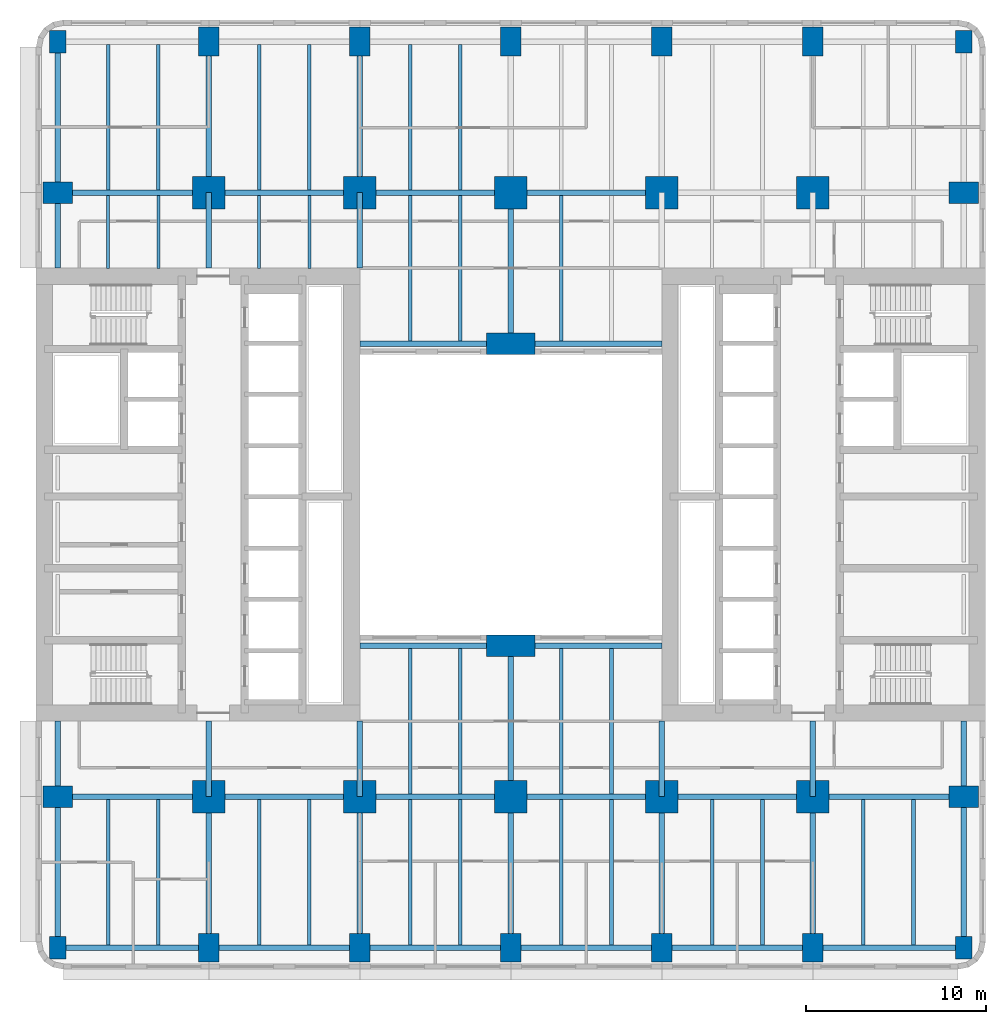
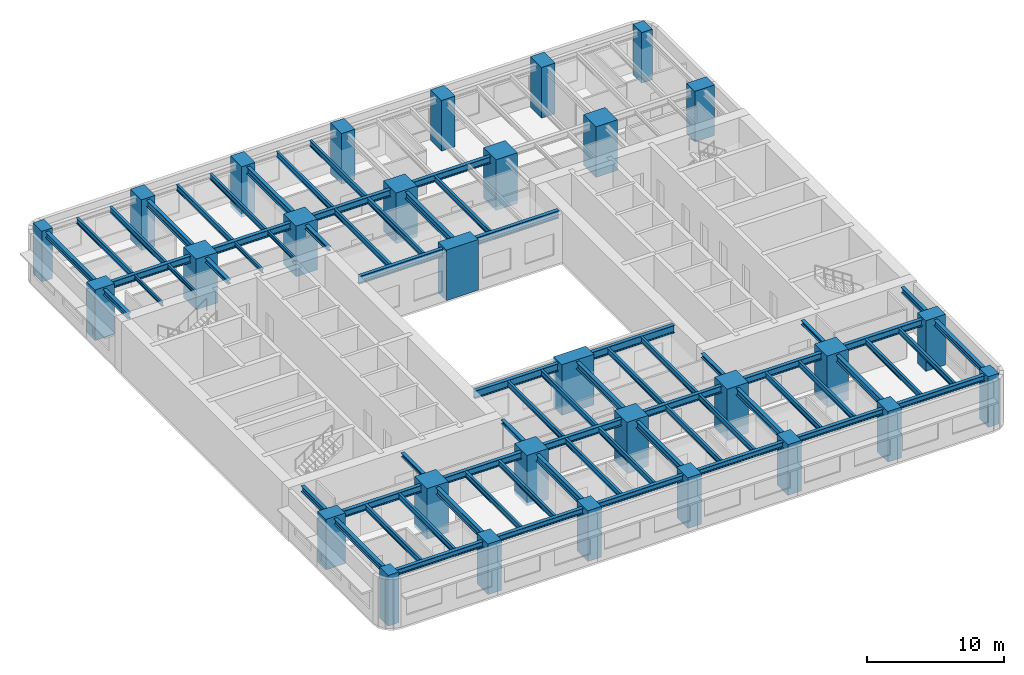
# One storey, part 1 of 12: 70 beams, 30 columns.
"""IFC4 building model written with IfcOpenShell, lengths in metres."""

from ifc_helpers import new_model, si_unit, direction, frame, origin, origin_2d, place, context, subcontext, project, spatial, rectangle, i_section, extrude, material, material_profile, profile_set, type_object, element, save


model = new_model("IFC4")

# Units and contexts
model_context = context("Model", 3, precision=1e-05, world=origin(), true_north=direction((0.0, 1.0)))
body_context = subcontext(model_context, "Body", "Model", "MODEL_VIEW")
ifc_project = project(units=[si_unit("LENGTHUNIT", "METRE"), si_unit("AREAUNIT", "SQUARE_METRE"), si_unit("VOLUMEUNIT", "CUBIC_METRE"), si_unit("PLANEANGLEUNIT", "RADIAN"), si_unit("MASSUNIT", "GRAM", prefix="KILO")], contexts=[model_context])

# Site, building, storey
site_placement = place(None, origin())
site = spatial("IfcSite", under=ifc_project, at=site_placement, CompositionType="ELEMENT")
building_placement = place(site_placement, origin())
building = spatial("IfcBuilding", under=site, at=building_placement, Name="Claustro Exchange Tower", CompositionType="ELEMENT")
storey_placement = place(building_placement, frame((0.0, 0.0, 68.39990234375)))
storey = spatial("IfcBuildingStorey", under=building, at=storey_placement, Name="L15", CompositionType="ELEMENT", Elevation=68.39990234375)

# Columns
ifc_material_1 = material(Name="Concrete HA-70 (C70/85)", Category="concrete")
ifc_material_profile_1 = material_profile(ifc_material_1, rectangle(XDim=1.800048828125, YDim=1.800048828125, at=origin_2d()), Name="RC 1800x1800")
ifc_profile_set_1 = profile_set([ifc_material_profile_1], Name="Concrete HA-70 (C70/85)")
column_type_1 = type_object("IfcColumnType", Name="C14 RC 1800x1800 HA-70 column", PredefinedType="COLUMN", material=ifc_profile_set_1)
for number, where, z_axis, x_axis, name in (
    (1, (8.39990234375, 8.39990234375, 0.0), (0.0, 0.0, 1.0), (1.0, 0.0, 0.0), "Column C14 2/B L15"),
    (2, (8.39990234375, 42.0, 0.0), (0.0, 0.0, 1.0), (1.0, 0.0, 0.0), "Column C14 2/F L15"),
    (3, (16.800048828125, 8.39990234375, 0.0), (0.0, 0.0, 1.0), (1.0, 0.0, 0.0), "Column C14 3/B L15"),
    (4, (16.800048828125, 42.0, 0.0), (0.0, 0.0, 1.0), (1.0, 0.0, 0.0), "Column C14 3/F L15"),
    (5, (25.199951171875, 8.39990234375, 0.0), (0.0, 0.0, 1.0), (1.0, 0.0, 0.0), "Column C14 4/B L15"),
    (6, (25.199951171875, 42.0, 0.0), (0.0, 0.0, 1.0), (1.0, 0.0, 0.0), "Column C14 4/F L15"),
    (7, (33.60009765625, 8.39990234375, 0.0), (0.0, 0.0, 1.0), (1.0, 0.0, 0.0), "Column C14 5/B L15"),
    (8, (33.60009765625, 42.0, 0.0), (0.0, 0.0, 1.0), (1.0, 0.0, 0.0), "Column C14 5/F L15"),
    (9, (42.0, 8.39990234375, 0.0), (0.0, 0.0, 1.0), (1.0, 0.0, 0.0), "Column C14 6/B L15"),
    (10, (42.0, 42.0, 0.0), (0.0, 0.0, 1.0), (1.0, 0.0, 0.0), "Column C14 6/F L15"),
):
    element("IfcColumn", number, at=place(storey_placement, frame(where, z_axis=z_axis, x_axis=x_axis)), inside=storey, type_object=column_type_1, Name=name, PredefinedType="COLUMN", context=body_context, shape_type="SweptSolid", body=[
        extrude(rectangle(XDim=1.800048828125, YDim=1.800048828125, at=origin_2d()), origin(), (0.0, 0.0, 1.0), 4.5),
    ])
ifc_material_2 = material(Name="Concrete HA-70 (C70/85)", Category="concrete")
ifc_material_profile_2 = material_profile(ifc_material_2, rectangle(XDim=1.199951171875, YDim=1.64990234375, at=origin_2d()), Name="RC 1200x1650")
ifc_profile_set_2 = profile_set([ifc_material_profile_2], Name="Concrete HA-70 (C70/85)")
column_type_2 = type_object("IfcColumnType", Name="C19 RC 1200x1650 HA-70 perimeter column", PredefinedType="COLUMN", material=ifc_profile_set_2)
for number, where, z_axis, x_axis, name in (
    (11, (0.0, 8.39990234375, 0.0), (0.0, 0.0, 1.0), (0.0, 1.0, 0.0), "Column C19 1/B L15"),
    (12, (0.0, 42.0, 0.0), (0.0, 0.0, 1.0), (0.0, 1.0, 0.0), "Column C19 1/F L15"),
    (13, (50.39990234375, 8.39990234375, 0.0), (0.0, 0.0, 1.0), (0.0, 1.0, 0.0), "Column C19 7/B L15"),
    (14, (50.39990234375, 42.0, 0.0), (0.0, 0.0, 1.0), (0.0, 1.0, 0.0), "Column C19 7/F L15"),
):
    element("IfcColumn", number, at=place(storey_placement, frame(where, z_axis=z_axis, x_axis=x_axis)), inside=storey, type_object=column_type_2, Name=name, PredefinedType="COLUMN", context=body_context, shape_type="SweptSolid", body=[
        extrude(rectangle(XDim=1.199951171875, YDim=1.64990234375, at=origin_2d()), origin(), (0.0, 0.0, 1.0), 4.5),
    ])
ifc_material_3 = material(Name="Concrete HA-70 (C70/85)", Category="concrete")
ifc_material_profile_3 = material_profile(ifc_material_3, rectangle(XDim=1.14990234375, YDim=1.60009765625, at=origin_2d()), Name="RC 1150x1600")
ifc_profile_set_3 = profile_set([ifc_material_profile_3], Name="Concrete HA-70 (C70/85)")
column_type_3 = type_object("IfcColumnType", Name="C20 RC 1150x1600 HA-70 perimeter column", PredefinedType="COLUMN", material=ifc_profile_set_3)
for number, where, z_axis, x_axis, name in (
    (15, (8.39990234375, 0.0, 0.0), (0.0, 0.0, 1.0), (1.0, 0.0, 0.0), "Column C20 2/A L15"),
    (16, (8.39990234375, 50.39990234375, 0.0), (0.0, 0.0, 1.0), (1.0, 0.0, 0.0), "Column C20 2/G L15"),
    (17, (16.800048828125, 0.0, 0.0), (0.0, 0.0, 1.0), (1.0, 0.0, 0.0), "Column C20 3/A L15"),
    (18, (16.800048828125, 50.39990234375, 0.0), (0.0, 0.0, 1.0), (1.0, 0.0, 0.0), "Column C20 3/G L15"),
    (19, (25.199951171875, 0.0, 0.0), (0.0, 0.0, 1.0), (1.0, 0.0, 0.0), "Column C20 4/A L15"),
    (20, (25.199951171875, 50.39990234375, 0.0), (0.0, 0.0, 1.0), (1.0, 0.0, 0.0), "Column C20 4/G L15"),
    (21, (33.60009765625, 0.0, 0.0), (0.0, 0.0, 1.0), (1.0, 0.0, 0.0), "Column C20 5/A L15"),
    (22, (33.60009765625, 50.39990234375, 0.0), (0.0, 0.0, 1.0), (1.0, 0.0, 0.0), "Column C20 5/G L15"),
    (23, (42.0, 0.0, 0.0), (0.0, 0.0, 1.0), (1.0, 0.0, 0.0), "Column C20 6/A L15"),
    (24, (42.0, 50.39990234375, 0.0), (0.0, 0.0, 1.0), (1.0, 0.0, 0.0), "Column C20 6/G L15"),
):
    element("IfcColumn", number, at=place(storey_placement, frame(where, z_axis=z_axis, x_axis=x_axis)), inside=storey, type_object=column_type_3, Name=name, PredefinedType="COLUMN", context=body_context, shape_type="SweptSolid", body=[
        extrude(rectangle(XDim=1.14990234375, YDim=1.60009765625, at=origin_2d()), origin(), (0.0, 0.0, 1.0), 4.5),
    ])
ifc_material_4 = material(Name="Concrete HA-70 (C70/85)", Category="concrete")
ifc_material_profile_4 = material_profile(ifc_material_4, rectangle(XDim=2.699951171875, YDim=1.199951171875, at=origin_2d()), Name="RC 2700x1200")
ifc_profile_set_4 = profile_set([ifc_material_profile_4], Name="Concrete HA-70 (C70/85)")
column_type_4 = type_object("IfcColumnType", Name="C30 RC 2700x1200 HA-70 light well column", PredefinedType="COLUMN", material=ifc_profile_set_4)
for number, where, z_axis, x_axis, name in (
    (25, (25.199951171875, 16.800048828125, 0.0), (0.0, 0.0, 1.0), (1.0, 0.0, 0.0), "Column C30 4/C L15"),
    (26, (25.199951171875, 33.60009765625, 0.0), (0.0, 0.0, 1.0), (1.0, 0.0, 0.0), "Column C30 4/E L15"),
):
    element("IfcColumn", number, at=place(storey_placement, frame(where, z_axis=z_axis, x_axis=x_axis)), inside=storey, type_object=column_type_4, Name=name, PredefinedType="COLUMN", context=body_context, shape_type="SweptSolid", body=[
        extrude(rectangle(XDim=2.699951171875, YDim=1.199951171875, at=origin_2d()), origin(), (0.0, 0.0, 1.0), 4.5),
    ])
ifc_material_5 = material(Name="Concrete HA-70 (C70/85)", Category="concrete")
ifc_material_profile_5 = material_profile(ifc_material_5, rectangle(XDim=0.89990234375, YDim=1.25, at=origin_2d()), Name="RC 900x1250")
ifc_profile_set_5 = profile_set([ifc_material_profile_5], Name="Concrete HA-70 (C70/85)")
column_type_5 = type_object("IfcColumnType", Name="C35 RC 900x1250 HA-70 corner column", PredefinedType="COLUMN", material=ifc_profile_set_5)
for number, where, z_axis, x_axis, name in (
    (27, (0.0, 0.0, 0.0), (0.0, 0.0, 1.0), (1.0, 0.0, 0.0), "Column C35 1/A L15"),
    (28, (0.0, 50.39990234375, 0.0), (0.0, 0.0, 1.0), (1.0, 0.0, 0.0), "Column C35 1/G L15"),
    (29, (50.39990234375, 0.0, 0.0), (0.0, 0.0, 1.0), (1.0, 0.0, 0.0), "Column C35 7/A L15"),
    (30, (50.39990234375, 50.39990234375, 0.0), (0.0, 0.0, 1.0), (1.0, 0.0, 0.0), "Column C35 7/G L15"),
):
    element("IfcColumn", number, at=place(storey_placement, frame(where, z_axis=z_axis, x_axis=x_axis)), inside=storey, type_object=column_type_5, Name=name, PredefinedType="COLUMN", context=body_context, shape_type="SweptSolid", body=[
        extrude(rectangle(XDim=0.89990234375, YDim=1.25, at=origin_2d()), origin(), (0.0, 0.0, 1.0), 4.5),
    ])

# Beams
ifc_material_6 = material(Name="Steel S355", Category="steel")
ifc_material_profile_6 = material_profile(ifc_material_6, i_section(OverallWidth=0.300048828125, OverallDepth=0.60009765625, WebThickness=0.015380859375, FlangeThickness=0.030029296875, FilletRadius=0.027099609375, at=origin_2d()), Name="HE 600 B")
ifc_profile_set_6 = profile_set([ifc_material_profile_6], Name="Steel S355")
beam_type_1 = type_object("IfcBeamType", Name="B1 HE 600 B floor girder", PredefinedType="BEAM", material=ifc_profile_set_6)
for number, where, z_axis, x_axis, name in (
    (31, (8.39990234375, 0.0, 4.0400390625), (0.0, 1.0, 0.0), (-1.0, 0.0, 0.0), "Beam B1 L16"),
    (32, (8.39990234375, 42.0, 4.0400390625), (0.0, 1.0, 0.0), (-1.0, 0.0, 0.0), "Beam B1 L16"),
    (33, (16.800048828125, 0.0, 4.0400390625), (0.0, 1.0, 0.0), (-1.0, 0.0, 0.0), "Beam B1 L16"),
    (34, (16.800048828125, 42.0, 4.0400390625), (0.0, 1.0, 0.0), (-1.0, 0.0, 0.0), "Beam B1 L16"),
    (35, (25.199951171875, 0.0, 4.0400390625), (0.0, 1.0, 0.0), (-1.0, 0.0, 0.0), "Beam B1 L16"),
):
    element("IfcBeam", number, at=place(storey_placement, frame(where, z_axis=z_axis, x_axis=x_axis)), inside=storey, type_object=beam_type_1, Name=name, PredefinedType="BEAM", context=body_context, shape_type="SweptSolid", body=[
        extrude(i_section(OverallWidth=0.300048828125, OverallDepth=0.60009765625, WebThickness=0.015380859375, FlangeThickness=0.030029296875, FilletRadius=0.027099609375, at=origin_2d()), origin(), (0.0, 0.0, 1.0), 8.39990234375),
    ])
beam_1_placement = place(storey_placement, frame((25.199951171875, 8.39990234375, 4.0400390625), z_axis=(0.0, 1.0, 0.0), x_axis=(-1.0, 0.0, 0.0)))
element("IfcBeam", 36, at=beam_1_placement, inside=storey, type_object=beam_type_1, Name="Beam B1 L16", PredefinedType="BEAM", context=body_context, shape_type="SweptSolid", body=[
    extrude(i_section(OverallWidth=0.300048828125, OverallDepth=0.60009765625, WebThickness=0.015380859375, FlangeThickness=0.030029296875, FilletRadius=0.027099609375, at=origin_2d()), origin(), (0.0, 0.0, 1.0), 8.400146484375),
])
for number, where, z_axis, x_axis, name in (
    (37, (25.199951171875, 33.60009765625, 4.0400390625), (0.0, 1.0, 0.0), (-1.0, 0.0, 0.0), "Beam B1 L16"),
    (38, (33.60009765625, 0.0, 4.0400390625), (0.0, 1.0, 0.0), (-1.0, 0.0, 0.0), "Beam B1 L16"),
    (39, (42.0, 0.0, 4.0400390625), (0.0, 1.0, 0.0), (-1.0, 0.0, 0.0), "Beam B1 L16"),
    (40, (0.0, 8.39990234375, 4.0400390625), (1.0, 0.0, 0.0), (0.0, 1.0, 0.0), "Beam B1 L16"),
):
    element("IfcBeam", number, at=place(storey_placement, frame(where, z_axis=z_axis, x_axis=x_axis)), inside=storey, type_object=beam_type_1, Name=name, PredefinedType="BEAM", context=body_context, shape_type="SweptSolid", body=[
        extrude(i_section(OverallWidth=0.300048828125, OverallDepth=0.60009765625, WebThickness=0.015380859375, FlangeThickness=0.030029296875, FilletRadius=0.027099609375, at=origin_2d()), origin(), (0.0, 0.0, 1.0), 8.39990234375),
    ])
beam_2_placement = place(storey_placement, frame((8.39990234375, 8.39990234375, 4.0400390625), z_axis=(1.0, 0.0, 0.0), x_axis=(0.0, 1.0, 0.0)))
element("IfcBeam", 41, at=beam_2_placement, inside=storey, type_object=beam_type_1, Name="Beam B1 L16", PredefinedType="BEAM", context=body_context, shape_type="SweptSolid", body=[
    extrude(i_section(OverallWidth=0.300048828125, OverallDepth=0.60009765625, WebThickness=0.015380859375, FlangeThickness=0.030029296875, FilletRadius=0.027099609375, at=origin_2d()), origin(), (0.0, 0.0, 1.0), 8.400146484375),
])
beam_3_placement = place(storey_placement, frame((16.800048828125, 8.39990234375, 4.0400390625), z_axis=(1.0, 0.0, 0.0), x_axis=(0.0, 1.0, 0.0)))
element("IfcBeam", 42, at=beam_3_placement, inside=storey, type_object=beam_type_1, Name="Beam B1 L16", PredefinedType="BEAM", context=body_context, shape_type="SweptSolid", body=[
    extrude(i_section(OverallWidth=0.300048828125, OverallDepth=0.60009765625, WebThickness=0.015380859375, FlangeThickness=0.030029296875, FilletRadius=0.027099609375, at=origin_2d()), origin(), (0.0, 0.0, 1.0), 8.39990234375),
])
beam_4_placement = place(storey_placement, frame((25.199951171875, 8.39990234375, 4.0400390625), z_axis=(1.0, 0.0, 0.0), x_axis=(0.0, 1.0, 0.0)))
element("IfcBeam", 43, at=beam_4_placement, inside=storey, type_object=beam_type_1, Name="Beam B1 L16", PredefinedType="BEAM", context=body_context, shape_type="SweptSolid", body=[
    extrude(i_section(OverallWidth=0.300048828125, OverallDepth=0.60009765625, WebThickness=0.015380859375, FlangeThickness=0.030029296875, FilletRadius=0.027099609375, at=origin_2d()), origin(), (0.0, 0.0, 1.0), 8.400146484375),
])
for number, where, z_axis, x_axis, name in (
    (44, (33.60009765625, 8.39990234375, 4.0400390625), (1.0, 0.0, 0.0), (0.0, 1.0, 0.0), "Beam B1 L16"),
    (45, (42.0, 8.39990234375, 4.0400390625), (1.0, 0.0, 0.0), (0.0, 1.0, 0.0), "Beam B1 L16"),
    (46, (0.0, 42.0, 4.0400390625), (1.0, 0.0, 0.0), (0.0, 1.0, 0.0), "Beam B1 L16"),
):
    element("IfcBeam", number, at=place(storey_placement, frame(where, z_axis=z_axis, x_axis=x_axis)), inside=storey, type_object=beam_type_1, Name=name, PredefinedType="BEAM", context=body_context, shape_type="SweptSolid", body=[
        extrude(i_section(OverallWidth=0.300048828125, OverallDepth=0.60009765625, WebThickness=0.015380859375, FlangeThickness=0.030029296875, FilletRadius=0.027099609375, at=origin_2d()), origin(), (0.0, 0.0, 1.0), 8.39990234375),
    ])
beam_5_placement = place(storey_placement, frame((8.39990234375, 42.0, 4.0400390625), z_axis=(1.0, 0.0, 0.0), x_axis=(0.0, 1.0, 0.0)))
element("IfcBeam", 47, at=beam_5_placement, inside=storey, type_object=beam_type_1, Name="Beam B1 L16", PredefinedType="BEAM", context=body_context, shape_type="SweptSolid", body=[
    extrude(i_section(OverallWidth=0.300048828125, OverallDepth=0.60009765625, WebThickness=0.015380859375, FlangeThickness=0.030029296875, FilletRadius=0.027099609375, at=origin_2d()), origin(), (0.0, 0.0, 1.0), 8.400146484375),
])
beam_6_placement = place(storey_placement, frame((16.800048828125, 42.0, 4.0400390625), z_axis=(1.0, 0.0, 0.0), x_axis=(0.0, 1.0, 0.0)))
element("IfcBeam", 48, at=beam_6_placement, inside=storey, type_object=beam_type_1, Name="Beam B1 L16", PredefinedType="BEAM", context=body_context, shape_type="SweptSolid", body=[
    extrude(i_section(OverallWidth=0.300048828125, OverallDepth=0.60009765625, WebThickness=0.015380859375, FlangeThickness=0.030029296875, FilletRadius=0.027099609375, at=origin_2d()), origin(), (0.0, 0.0, 1.0), 8.39990234375),
])
beam_7_placement = place(storey_placement, frame((25.199951171875, 42.0, 4.0400390625), z_axis=(1.0, 0.0, 0.0), x_axis=(0.0, 1.0, 0.0)))
element("IfcBeam", 49, at=beam_7_placement, inside=storey, type_object=beam_type_1, Name="Beam B1 L16", PredefinedType="BEAM", context=body_context, shape_type="SweptSolid", body=[
    extrude(i_section(OverallWidth=0.300048828125, OverallDepth=0.60009765625, WebThickness=0.015380859375, FlangeThickness=0.030029296875, FilletRadius=0.027099609375, at=origin_2d()), origin(), (0.0, 0.0, 1.0), 8.400146484375),
])
ifc_material_7 = material(Name="Steel S355", Category="steel")
ifc_material_profile_7 = material_profile(ifc_material_7, i_section(OverallWidth=0.300048828125, OverallDepth=0.68994140625, WebThickness=0.014404296875, FlangeThickness=0.027099609375, FilletRadius=0.027099609375, at=origin_2d()), Name="HE 700 A")
ifc_profile_set_7 = profile_set([ifc_material_profile_7], Name="Steel S355")
beam_type_2 = type_object("IfcBeamType", Name="B13 HE 700 A light well edge girder", PredefinedType="BEAM", material=ifc_profile_set_7)
beam_8_placement = place(storey_placement, frame((16.800048828125, 16.800048828125, 3.9951171875), z_axis=(1.0, 0.0, 0.0), x_axis=(0.0, 1.0, 0.0)))
element("IfcBeam", 50, at=beam_8_placement, inside=storey, type_object=beam_type_2, Name="Beam B13 L16", PredefinedType="BEAM", context=body_context, shape_type="SweptSolid", body=[
    extrude(i_section(OverallWidth=0.300048828125, OverallDepth=0.68994140625, WebThickness=0.014404296875, FlangeThickness=0.027099609375, FilletRadius=0.027099609375, at=origin_2d()), origin(), (0.0, 0.0, 1.0), 8.39990234375),
])
beam_9_placement = place(storey_placement, frame((25.199951171875, 16.800048828125, 3.9951171875), z_axis=(1.0, 0.0, 0.0), x_axis=(0.0, 1.0, 0.0)))
element("IfcBeam", 51, at=beam_9_placement, inside=storey, type_object=beam_type_2, Name="Beam B13 L16", PredefinedType="BEAM", context=body_context, shape_type="SweptSolid", body=[
    extrude(i_section(OverallWidth=0.300048828125, OverallDepth=0.68994140625, WebThickness=0.014404296875, FlangeThickness=0.027099609375, FilletRadius=0.027099609375, at=origin_2d()), origin(), (0.0, 0.0, 1.0), 8.400146484375),
])
beam_10_placement = place(storey_placement, frame((16.800048828125, 33.60009765625, 3.9951171875), z_axis=(1.0, 0.0, 0.0), x_axis=(0.0, 1.0, 0.0)))
element("IfcBeam", 52, at=beam_10_placement, inside=storey, type_object=beam_type_2, Name="Beam B13 L16", PredefinedType="BEAM", context=body_context, shape_type="SweptSolid", body=[
    extrude(i_section(OverallWidth=0.300048828125, OverallDepth=0.68994140625, WebThickness=0.014404296875, FlangeThickness=0.027099609375, FilletRadius=0.027099609375, at=origin_2d()), origin(), (0.0, 0.0, 1.0), 8.39990234375),
])
beam_11_placement = place(storey_placement, frame((25.199951171875, 33.60009765625, 3.9951171875), z_axis=(1.0, 0.0, 0.0), x_axis=(0.0, 1.0, 0.0)))
element("IfcBeam", 53, at=beam_11_placement, inside=storey, type_object=beam_type_2, Name="Beam B13 L16", PredefinedType="BEAM", context=body_context, shape_type="SweptSolid", body=[
    extrude(i_section(OverallWidth=0.300048828125, OverallDepth=0.68994140625, WebThickness=0.014404296875, FlangeThickness=0.027099609375, FilletRadius=0.027099609375, at=origin_2d()), origin(), (0.0, 0.0, 1.0), 8.400146484375),
])
ifc_material_8 = material(Name="Steel S355", Category="steel")
ifc_material_profile_8 = material_profile(ifc_material_8, i_section(OverallWidth=0.169921875, OverallDepth=0.360107421875, WebThickness=0.008056640625, FlangeThickness=0.0126953125, FilletRadius=0.01806640625, at=origin_2d()), Name="IPE 360")
ifc_profile_set_8 = profile_set([ifc_material_profile_8], Name="Steel S355")
beam_type_3 = type_object("IfcBeamType", Name="B16 IPE 360 short-span beam", PredefinedType="BEAM", material=ifc_profile_set_8)
for number, where, z_axis, x_axis, name in (
    (54, (2.800048828125, 37.7900390625, 4.16015625), (0.0, 1.0, 0.0), (-1.0, 0.0, 0.0), "Beam B16 L16"),
    (55, (5.60009765625, 37.7900390625, 4.16015625), (0.0, 1.0, 0.0), (-1.0, 0.0, 0.0), "Beam B16 L16"),
    (56, (11.199951171875, 37.7900390625, 4.16015625), (0.0, 1.0, 0.0), (-1.0, 0.0, 0.0), "Beam B16 L16"),
    (57, (14.0, 37.7900390625, 4.16015625), (0.0, 1.0, 0.0), (-1.0, 0.0, 0.0), "Beam B16 L16"),
):
    element("IfcBeam", number, at=place(storey_placement, frame(where, z_axis=z_axis, x_axis=x_axis)), inside=storey, type_object=beam_type_3, Name=name, PredefinedType="BEAM", context=body_context, shape_type="SweptSolid", body=[
        extrude(i_section(OverallWidth=0.169921875, OverallDepth=0.360107421875, WebThickness=0.008056640625, FlangeThickness=0.0126953125, FilletRadius=0.01806640625, at=origin_2d()), origin(), (0.0, 0.0, 1.0), 4.06005859375),
    ])
ifc_material_9 = material(Name="Steel S355", Category="steel")
ifc_material_profile_9 = material_profile(ifc_material_9, i_section(OverallWidth=0.199951171875, OverallDepth=0.5, WebThickness=0.01025390625, FlangeThickness=0.01611328125, FilletRadius=0.02099609375, at=origin_2d()), Name="IPE 500")
ifc_profile_set_9 = profile_set([ifc_material_profile_9], Name="Steel S355")
beam_type_4 = type_object("IfcBeamType", Name="B2 IPE 500 secondary beam", PredefinedType="BEAM", material=ifc_profile_set_9)
for number, where, z_axis, x_axis, name in (
    (58, (2.800048828125, 0.14990234375, 4.090087890625), (0.0, 1.0, 0.0), (-1.0, 0.0, 0.0), "Beam B2 L16"),
    (59, (5.60009765625, 0.14990234375, 4.090087890625), (0.0, 1.0, 0.0), (-1.0, 0.0, 0.0), "Beam B2 L16"),
    (60, (2.800048828125, 42.14990234375, 4.090087890625), (0.0, 1.0, 0.0), (-1.0, 0.0, 0.0), "Beam B2 L16"),
    (61, (5.60009765625, 42.14990234375, 4.090087890625), (0.0, 1.0, 0.0), (-1.0, 0.0, 0.0), "Beam B2 L16"),
    (62, (11.199951171875, 0.14990234375, 4.090087890625), (0.0, 1.0, 0.0), (-1.0, 0.0, 0.0), "Beam B2 L16"),
    (63, (14.0, 0.14990234375, 4.090087890625), (0.0, 1.0, 0.0), (-1.0, 0.0, 0.0), "Beam B2 L16"),
    (64, (11.199951171875, 42.14990234375, 4.090087890625), (0.0, 1.0, 0.0), (-1.0, 0.0, 0.0), "Beam B2 L16"),
    (65, (14.0, 42.14990234375, 4.090087890625), (0.0, 1.0, 0.0), (-1.0, 0.0, 0.0), "Beam B2 L16"),
    (66, (19.60009765625, 0.14990234375, 4.090087890625), (0.0, 1.0, 0.0), (-1.0, 0.0, 0.0), "Beam B2 L16"),
    (67, (22.39990234375, 0.14990234375, 4.090087890625), (0.0, 1.0, 0.0), (-1.0, 0.0, 0.0), "Beam B2 L16"),
):
    element("IfcBeam", number, at=place(storey_placement, frame(where, z_axis=z_axis, x_axis=x_axis)), inside=storey, type_object=beam_type_4, Name=name, PredefinedType="BEAM", context=body_context, shape_type="SweptSolid", body=[
        extrude(i_section(OverallWidth=0.199951171875, OverallDepth=0.5, WebThickness=0.01025390625, FlangeThickness=0.01611328125, FilletRadius=0.02099609375, at=origin_2d()), origin(), (0.0, 0.0, 1.0), 8.10009765625),
    ])
for number, where, z_axis, x_axis, name in (
    (68, (19.60009765625, 8.550048828125, 4.090087890625), (0.0, 1.0, 0.0), (-1.0, 0.0, 0.0), "Beam B2 L16"),
    (69, (22.39990234375, 8.550048828125, 4.090087890625), (0.0, 1.0, 0.0), (-1.0, 0.0, 0.0), "Beam B2 L16"),
):
    element("IfcBeam", number, at=place(storey_placement, frame(where, z_axis=z_axis, x_axis=x_axis)), inside=storey, type_object=beam_type_4, Name=name, PredefinedType="BEAM", context=body_context, shape_type="SweptSolid", body=[
        extrude(i_section(OverallWidth=0.199951171875, OverallDepth=0.5, WebThickness=0.01025390625, FlangeThickness=0.01611328125, FilletRadius=0.02099609375, at=origin_2d()), origin(), (0.0, 0.0, 1.0), 8.099853515625),
    ])
for number, where, z_axis, x_axis, name in (
    (70, (19.60009765625, 33.75, 4.090087890625), (0.0, 1.0, 0.0), (-1.0, 0.0, 0.0), "Beam B2 L16"),
    (71, (22.39990234375, 33.75, 4.090087890625), (0.0, 1.0, 0.0), (-1.0, 0.0, 0.0), "Beam B2 L16"),
    (72, (19.60009765625, 42.14990234375, 4.090087890625), (0.0, 1.0, 0.0), (-1.0, 0.0, 0.0), "Beam B2 L16"),
    (73, (22.39990234375, 42.14990234375, 4.090087890625), (0.0, 1.0, 0.0), (-1.0, 0.0, 0.0), "Beam B2 L16"),
    (74, (28.0, 0.14990234375, 4.090087890625), (0.0, 1.0, 0.0), (-1.0, 0.0, 0.0), "Beam B2 L16"),
    (75, (30.800048828125, 0.14990234375, 4.090087890625), (0.0, 1.0, 0.0), (-1.0, 0.0, 0.0), "Beam B2 L16"),
):
    element("IfcBeam", number, at=place(storey_placement, frame(where, z_axis=z_axis, x_axis=x_axis)), inside=storey, type_object=beam_type_4, Name=name, PredefinedType="BEAM", context=body_context, shape_type="SweptSolid", body=[
        extrude(i_section(OverallWidth=0.199951171875, OverallDepth=0.5, WebThickness=0.01025390625, FlangeThickness=0.01611328125, FilletRadius=0.02099609375, at=origin_2d()), origin(), (0.0, 0.0, 1.0), 8.10009765625),
    ])
for number, where, z_axis, x_axis, name in (
    (76, (28.0, 8.550048828125, 4.090087890625), (0.0, 1.0, 0.0), (-1.0, 0.0, 0.0), "Beam B2 L16"),
    (77, (30.800048828125, 8.550048828125, 4.090087890625), (0.0, 1.0, 0.0), (-1.0, 0.0, 0.0), "Beam B2 L16"),
):
    element("IfcBeam", number, at=place(storey_placement, frame(where, z_axis=z_axis, x_axis=x_axis)), inside=storey, type_object=beam_type_4, Name=name, PredefinedType="BEAM", context=body_context, shape_type="SweptSolid", body=[
        extrude(i_section(OverallWidth=0.199951171875, OverallDepth=0.5, WebThickness=0.01025390625, FlangeThickness=0.01611328125, FilletRadius=0.02099609375, at=origin_2d()), origin(), (0.0, 0.0, 1.0), 8.099853515625),
    ])
for number, where, z_axis, x_axis, name in (
    (78, (28.0, 33.75, 4.090087890625), (0.0, 1.0, 0.0), (-1.0, 0.0, 0.0), "Beam B2 L16"),
    (79, (36.39990234375, 0.14990234375, 4.090087890625), (0.0, 1.0, 0.0), (-1.0, 0.0, 0.0), "Beam B2 L16"),
    (80, (39.199951171875, 0.14990234375, 4.090087890625), (0.0, 1.0, 0.0), (-1.0, 0.0, 0.0), "Beam B2 L16"),
    (81, (44.800048828125, 0.14990234375, 4.090087890625), (0.0, 1.0, 0.0), (-1.0, 0.0, 0.0), "Beam B2 L16"),
    (82, (47.60009765625, 0.14990234375, 4.090087890625), (0.0, 1.0, 0.0), (-1.0, 0.0, 0.0), "Beam B2 L16"),
):
    element("IfcBeam", number, at=place(storey_placement, frame(where, z_axis=z_axis, x_axis=x_axis)), inside=storey, type_object=beam_type_4, Name=name, PredefinedType="BEAM", context=body_context, shape_type="SweptSolid", body=[
        extrude(i_section(OverallWidth=0.199951171875, OverallDepth=0.5, WebThickness=0.01025390625, FlangeThickness=0.01611328125, FilletRadius=0.02099609375, at=origin_2d()), origin(), (0.0, 0.0, 1.0), 8.10009765625),
    ])
ifc_material_10 = material(Name="Steel S355", Category="steel")
ifc_material_profile_10 = material_profile(ifc_material_10, i_section(OverallWidth=0.300048828125, OverallDepth=0.360107421875, WebThickness=0.012451171875, FlangeThickness=0.0224609375, FilletRadius=0.027099609375, at=origin_2d()), Name="HE 360 B")
ifc_profile_set_10 = profile_set([ifc_material_profile_10], Name="Steel S355")
beam_type_5 = type_object("IfcBeamType", Name="B29 HE 360 B column to core link beam", PredefinedType="BEAM", material=ifc_profile_set_10)
beam_12_placement = place(storey_placement, frame((8.39990234375, 8.39990234375, 4.16015625), z_axis=(0.0, 1.0, 0.0), x_axis=(-1.0, 0.0, 0.0)))
element("IfcBeam", 83, at=beam_12_placement, inside=storey, type_object=beam_type_5, Name="Beam B29 L16", PredefinedType="BEAM", context=body_context, shape_type="SweptSolid", body=[
    extrude(i_section(OverallWidth=0.300048828125, OverallDepth=0.360107421875, WebThickness=0.012451171875, FlangeThickness=0.0224609375, FilletRadius=0.027099609375, at=origin_2d()), origin(), (0.0, 0.0, 1.0), 4.2001953125),
])
beam_13_placement = place(storey_placement, frame((8.39990234375, 37.800048828125, 4.16015625), z_axis=(0.0, 1.0, 0.0), x_axis=(-1.0, 0.0, 0.0)))
element("IfcBeam", 84, at=beam_13_placement, inside=storey, type_object=beam_type_5, Name="Beam B29 L16", PredefinedType="BEAM", context=body_context, shape_type="SweptSolid", body=[
    extrude(i_section(OverallWidth=0.300048828125, OverallDepth=0.360107421875, WebThickness=0.012451171875, FlangeThickness=0.0224609375, FilletRadius=0.027099609375, at=origin_2d()), origin(), (0.0, 0.0, 1.0), 4.199951171875),
])
beam_14_placement = place(storey_placement, frame((16.800048828125, 8.39990234375, 4.16015625), z_axis=(0.0, 1.0, 0.0), x_axis=(-1.0, 0.0, 0.0)))
element("IfcBeam", 85, at=beam_14_placement, inside=storey, type_object=beam_type_5, Name="Beam B29 L16", PredefinedType="BEAM", context=body_context, shape_type="SweptSolid", body=[
    extrude(i_section(OverallWidth=0.300048828125, OverallDepth=0.360107421875, WebThickness=0.012451171875, FlangeThickness=0.0224609375, FilletRadius=0.027099609375, at=origin_2d()), origin(), (0.0, 0.0, 1.0), 4.2001953125),
])
beam_15_placement = place(storey_placement, frame((16.800048828125, 37.800048828125, 4.16015625), z_axis=(0.0, 1.0, 0.0), x_axis=(-1.0, 0.0, 0.0)))
element("IfcBeam", 86, at=beam_15_placement, inside=storey, type_object=beam_type_5, Name="Beam B29 L16", PredefinedType="BEAM", context=body_context, shape_type="SweptSolid", body=[
    extrude(i_section(OverallWidth=0.300048828125, OverallDepth=0.360107421875, WebThickness=0.012451171875, FlangeThickness=0.0224609375, FilletRadius=0.027099609375, at=origin_2d()), origin(), (0.0, 0.0, 1.0), 4.199951171875),
])
for number, where, z_axis, x_axis, name in (
    (87, (33.60009765625, 8.39990234375, 4.16015625), (0.0, 1.0, 0.0), (-1.0, 0.0, 0.0), "Beam B29 L16"),
    (88, (42.0, 8.39990234375, 4.16015625), (0.0, 1.0, 0.0), (-1.0, 0.0, 0.0), "Beam B29 L16"),
):
    element("IfcBeam", number, at=place(storey_placement, frame(where, z_axis=z_axis, x_axis=x_axis)), inside=storey, type_object=beam_type_5, Name=name, PredefinedType="BEAM", context=body_context, shape_type="SweptSolid", body=[
        extrude(i_section(OverallWidth=0.300048828125, OverallDepth=0.360107421875, WebThickness=0.012451171875, FlangeThickness=0.0224609375, FilletRadius=0.027099609375, at=origin_2d()), origin(), (0.0, 0.0, 1.0), 4.2001953125),
    ])
ifc_material_11 = material(Name="Steel S355", Category="steel")
ifc_material_profile_11 = material_profile(ifc_material_11, i_section(OverallWidth=0.300048828125, OverallDepth=0.5, WebThickness=0.014404296875, FlangeThickness=0.028076171875, FilletRadius=0.027099609375, at=origin_2d()), Name="HE 500 B")
ifc_profile_set_11 = profile_set([ifc_material_profile_11], Name="Steel S355")
beam_type_6 = type_object("IfcBeamType", Name="B3 HE 500 B spandrel edge girder", PredefinedType="SPANDREL", material=ifc_profile_set_11)
beam_16_placement = place(storey_placement, frame((0.0, 0.0, 4.090087890625), z_axis=(0.0, 1.0, 0.0), x_axis=(-1.0, 0.0, 0.0)))
element("IfcBeam", 89, at=beam_16_placement, inside=storey, type_object=beam_type_6, Name="Beam B3 L16", PredefinedType="SPANDREL", context=body_context, shape_type="SweptSolid", body=[
    extrude(i_section(OverallWidth=0.300048828125, OverallDepth=0.5, WebThickness=0.014404296875, FlangeThickness=0.028076171875, FilletRadius=0.027099609375, at=origin_2d()), origin(), (0.0, 0.0, 1.0), 8.39990234375),
])
beam_17_placement = place(storey_placement, frame((0.0, 8.39990234375, 4.090087890625), z_axis=(0.0, 1.0, 0.0), x_axis=(-1.0, 0.0, 0.0)))
element("IfcBeam", 90, at=beam_17_placement, inside=storey, type_object=beam_type_6, Name="Beam B3 L16", PredefinedType="SPANDREL", context=body_context, shape_type="SweptSolid", body=[
    extrude(i_section(OverallWidth=0.300048828125, OverallDepth=0.5, WebThickness=0.014404296875, FlangeThickness=0.028076171875, FilletRadius=0.027099609375, at=origin_2d()), origin(), (0.0, 0.0, 1.0), 4.2001953125),
])
beam_18_placement = place(storey_placement, frame((0.0, 37.800048828125, 4.090087890625), z_axis=(0.0, 1.0, 0.0), x_axis=(-1.0, 0.0, 0.0)))
element("IfcBeam", 91, at=beam_18_placement, inside=storey, type_object=beam_type_6, Name="Beam B3 L16", PredefinedType="SPANDREL", context=body_context, shape_type="SweptSolid", body=[
    extrude(i_section(OverallWidth=0.300048828125, OverallDepth=0.5, WebThickness=0.014404296875, FlangeThickness=0.028076171875, FilletRadius=0.027099609375, at=origin_2d()), origin(), (0.0, 0.0, 1.0), 4.199951171875),
])
for number, where, z_axis, x_axis, name in (
    (92, (0.0, 42.0, 4.090087890625), (0.0, 1.0, 0.0), (-1.0, 0.0, 0.0), "Beam B3 L16"),
    (93, (50.39990234375, 0.0, 4.090087890625), (0.0, 1.0, 0.0), (-1.0, 0.0, 0.0), "Beam B3 L16"),
):
    element("IfcBeam", number, at=place(storey_placement, frame(where, z_axis=z_axis, x_axis=x_axis)), inside=storey, type_object=beam_type_6, Name=name, PredefinedType="SPANDREL", context=body_context, shape_type="SweptSolid", body=[
        extrude(i_section(OverallWidth=0.300048828125, OverallDepth=0.5, WebThickness=0.014404296875, FlangeThickness=0.028076171875, FilletRadius=0.027099609375, at=origin_2d()), origin(), (0.0, 0.0, 1.0), 8.39990234375),
    ])
beam_19_placement = place(storey_placement, frame((50.39990234375, 8.39990234375, 4.090087890625), z_axis=(0.0, 1.0, 0.0), x_axis=(-1.0, 0.0, 0.0)))
element("IfcBeam", 94, at=beam_19_placement, inside=storey, type_object=beam_type_6, Name="Beam B3 L16", PredefinedType="SPANDREL", context=body_context, shape_type="SweptSolid", body=[
    extrude(i_section(OverallWidth=0.300048828125, OverallDepth=0.5, WebThickness=0.014404296875, FlangeThickness=0.028076171875, FilletRadius=0.027099609375, at=origin_2d()), origin(), (0.0, 0.0, 1.0), 4.2001953125),
])
beam_20_placement = place(storey_placement, frame((0.0, 0.0, 4.090087890625), z_axis=(1.0, 0.0, 0.0), x_axis=(0.0, 1.0, 0.0)))
element("IfcBeam", 95, at=beam_20_placement, inside=storey, type_object=beam_type_6, Name="Beam B3 L16", PredefinedType="SPANDREL", context=body_context, shape_type="SweptSolid", body=[
    extrude(i_section(OverallWidth=0.300048828125, OverallDepth=0.5, WebThickness=0.014404296875, FlangeThickness=0.028076171875, FilletRadius=0.027099609375, at=origin_2d()), origin(), (0.0, 0.0, 1.0), 8.39990234375),
])
beam_21_placement = place(storey_placement, frame((8.39990234375, 0.0, 4.090087890625), z_axis=(1.0, 0.0, 0.0), x_axis=(0.0, 1.0, 0.0)))
element("IfcBeam", 96, at=beam_21_placement, inside=storey, type_object=beam_type_6, Name="Beam B3 L16", PredefinedType="SPANDREL", context=body_context, shape_type="SweptSolid", body=[
    extrude(i_section(OverallWidth=0.300048828125, OverallDepth=0.5, WebThickness=0.014404296875, FlangeThickness=0.028076171875, FilletRadius=0.027099609375, at=origin_2d()), origin(), (0.0, 0.0, 1.0), 8.400146484375),
])
beam_22_placement = place(storey_placement, frame((16.800048828125, 0.0, 4.090087890625), z_axis=(1.0, 0.0, 0.0), x_axis=(0.0, 1.0, 0.0)))
element("IfcBeam", 97, at=beam_22_placement, inside=storey, type_object=beam_type_6, Name="Beam B3 L16", PredefinedType="SPANDREL", context=body_context, shape_type="SweptSolid", body=[
    extrude(i_section(OverallWidth=0.300048828125, OverallDepth=0.5, WebThickness=0.014404296875, FlangeThickness=0.028076171875, FilletRadius=0.027099609375, at=origin_2d()), origin(), (0.0, 0.0, 1.0), 8.39990234375),
])
beam_23_placement = place(storey_placement, frame((25.199951171875, 0.0, 4.090087890625), z_axis=(1.0, 0.0, 0.0), x_axis=(0.0, 1.0, 0.0)))
element("IfcBeam", 98, at=beam_23_placement, inside=storey, type_object=beam_type_6, Name="Beam B3 L16", PredefinedType="SPANDREL", context=body_context, shape_type="SweptSolid", body=[
    extrude(i_section(OverallWidth=0.300048828125, OverallDepth=0.5, WebThickness=0.014404296875, FlangeThickness=0.028076171875, FilletRadius=0.027099609375, at=origin_2d()), origin(), (0.0, 0.0, 1.0), 8.400146484375),
])
for number, where, z_axis, x_axis, name in (
    (99, (33.60009765625, 0.0, 4.090087890625), (1.0, 0.0, 0.0), (0.0, 1.0, 0.0), "Beam B3 L16"),
    (100, (42.0, 0.0, 4.090087890625), (1.0, 0.0, 0.0), (0.0, 1.0, 0.0), "Beam B3 L16"),
):
    element("IfcBeam", number, at=place(storey_placement, frame(where, z_axis=z_axis, x_axis=x_axis)), inside=storey, type_object=beam_type_6, Name=name, PredefinedType="SPANDREL", context=body_context, shape_type="SweptSolid", body=[
        extrude(i_section(OverallWidth=0.300048828125, OverallDepth=0.5, WebThickness=0.014404296875, FlangeThickness=0.028076171875, FilletRadius=0.027099609375, at=origin_2d()), origin(), (0.0, 0.0, 1.0), 8.39990234375),
    ])

save(model, "model.ifc")
